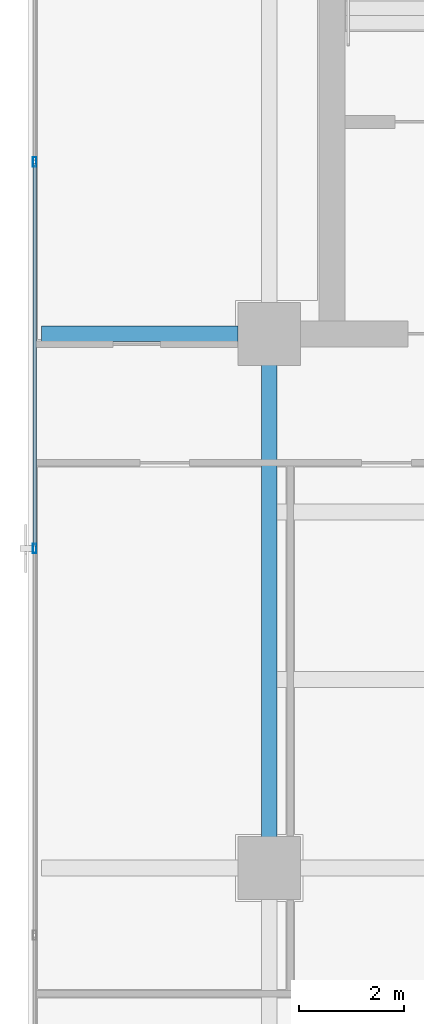
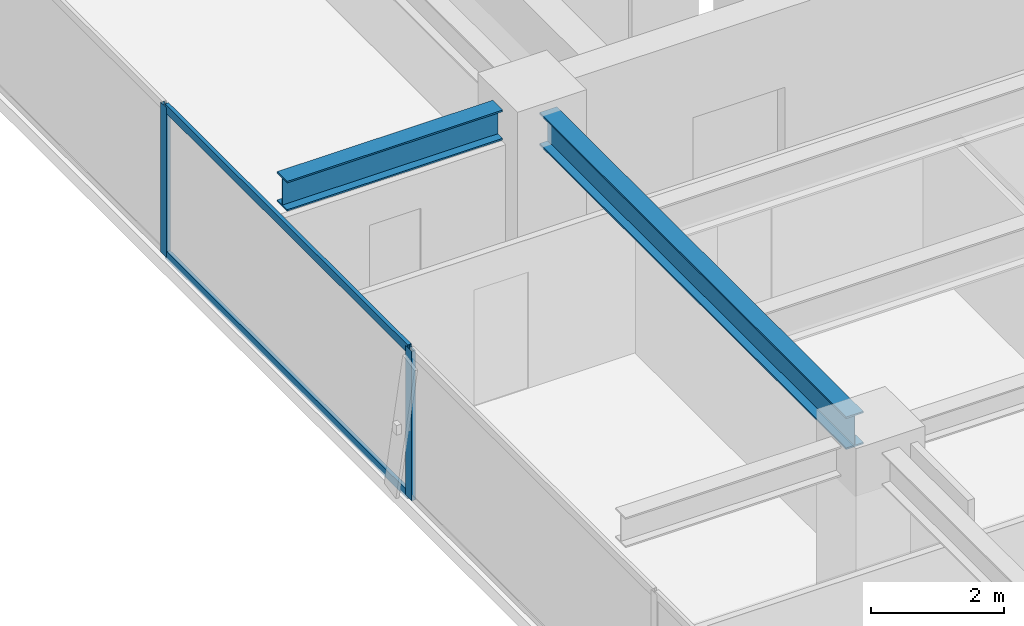
# One storey, part 7 of 23: 4 members, 2 beams, 1 element without a shape of its own.
"""IFC4 building model written with IfcOpenShell, lengths in metres."""

from ifc_helpers import new_model, si_unit, direction, frame, origin, origin_2d, place, context, subcontext, project, spatial, hollow_rectangle, i_section, extrude, source, transform, mapped, material, layer, layer_set, material_profile, profile_set, type_object, element, aggregate, save


model = new_model("IFC4")

# Units and contexts
model_context = context("Model", 3, precision=1e-05, world=origin(), true_north=direction((0.0, 1.0)))
body_context = subcontext(model_context, "Body", "Model", "MODEL_VIEW")
ifc_project = project(units=[si_unit("LENGTHUNIT", "METRE"), si_unit("AREAUNIT", "SQUARE_METRE"), si_unit("VOLUMEUNIT", "CUBIC_METRE"), si_unit("PLANEANGLEUNIT", "RADIAN"), si_unit("MASSUNIT", "GRAM", prefix="KILO")], contexts=[model_context])

# Site, building, storey
site_placement = place(None, origin())
site = spatial("IfcSite", under=ifc_project, at=site_placement, CompositionType="ELEMENT")
building_placement = place(site_placement, origin())
building = spatial("IfcBuilding", under=site, at=building_placement, Name="Sumidabori Civic Tower", CompositionType="ELEMENT")
storey_placement = place(building_placement, frame((0.0, 0.0, 275.60009765625)))
storey = spatial("IfcBuildingStorey", under=building, at=storey_placement, Name="L72", CompositionType="ELEMENT", Elevation=275.60009765625)

# Beams
ifc_material_1 = material(Name="Steel SN490", Category="steel")
ifc_material_profile_1 = material_profile(ifc_material_1, i_section(OverallWidth=0.300048828125, OverallDepth=0.60009765625, WebThickness=0.015380859375, FlangeThickness=0.030029296875, at=origin_2d()), Name="HE 600 B")
ifc_profile_set_1 = profile_set([ifc_material_profile_1], Name="Steel SN490")
beam_type_1 = type_object("IfcBeamType", Name="BM-GIRD-600", PredefinedType="BEAM", material=ifc_profile_set_1)
shared_shape_1 = source(origin(), body_context, "Body", "SweptSolid", [
    extrude(i_section(OverallWidth=0.300048828125, OverallDepth=0.60009765625, WebThickness=0.015380859375, FlangeThickness=0.030029296875, at=origin_2d()), origin(), (0.0, 0.0, 1.0), 9.239990234375),
])
beam_1_placement = place(storey_placement, frame((-16.800048828125, 0.47998046875, 3.06982421875), z_axis=(0.0, 1.0, 0.0), x_axis=(-1.0, 0.0, 0.0)))
element("IfcBeam", 1, at=beam_1_placement, inside=storey, type_object=beam_type_1, Name="Primary Girder L72 GY-10", PredefinedType="BEAM", context=body_context, shape_type="MappedRepresentation", body=[
    mapped(shared_shape_1, transform((0.0, 0.0, 0.0), x_axis=(1.0, 0.0, 0.0), y_axis=(0.0, 1.0, 0.0), z_axis=(0.0, 0.0, 1.0), scale=1.0)),
])
ifc_material_profile_2 = material_profile(ifc_material_1, i_section(OverallWidth=0.300048828125, OverallDepth=0.550048828125, WebThickness=0.014892578125, FlangeThickness=0.029052734375, at=origin_2d()), Name="HE 550 B")
ifc_profile_set_2 = profile_set([ifc_material_profile_2], Name="Steel SN490")
beam_type_2 = type_object("IfcBeamType", Name="BM-Z4-EDGE", PredefinedType="SPANDREL", material=ifc_profile_set_2)
shared_shape_2 = source(origin(), body_context, "Body", "SweptSolid", [
    extrude(i_section(OverallWidth=0.300048828125, OverallDepth=0.550048828125, WebThickness=0.014892578125, FlangeThickness=0.029052734375, at=origin_2d()), origin(), (0.0, 0.0, 1.0), 3.75),
])
beam_2_placement = place(storey_placement, frame((-21.14990234375, 10.199951171875, 3.094970703125), z_axis=(1.0, 0.0, 0.0), x_axis=(0.0, 1.0, 0.0)))
element("IfcBeam", 2, at=beam_2_placement, inside=storey, type_object=beam_type_2, Name="Perimeter Overhang Beam L72 W-21", PredefinedType="SPANDREL", context=body_context, shape_type="MappedRepresentation", body=[
    mapped(shared_shape_2, transform((0.0, 0.0, 0.0), x_axis=(1.0, 0.0, 0.0), y_axis=(0.0, 1.0, 0.0), z_axis=(0.0, 0.0, 1.0), scale=1.0)),
])

# Curtain wall, members
ifc_material_2 = material(Name="Anodised Bronze Aluminium AW-6063-T6", Category="aluminium")
ifc_layer = layer(ifc_material_2, 0.179931640625, Name="Anodised Bronze Aluminium AW-6063-T6")
ifc_layer_set = layer_set([ifc_layer], Name="Anodised Bronze Aluminium AW-6063-T6")
curtain_wall_type = type_object("IfcCurtainWallType", Name="CW-SYS-6", PredefinedType="NOTDEFINED", material=ifc_layer_set)
curtain_wall_placement = place(storey_placement, origin())
curtain_wall = element("IfcCurtainWall", 3, at=curtain_wall_placement, inside=storey, type_object=curtain_wall_type, Name="Curtain Wall CW:L72:R10", PredefinedType="NOTDEFINED")
ifc_material_profile_3 = material_profile(ifc_material_2, hollow_rectangle(XDim=0.070068359375, YDim=0.179931640625, WallThickness=0.006103515625, at=origin_2d()), Name="ALU MULLION 180x70")
ifc_profile_set_3 = profile_set([ifc_material_profile_3], Name="Anodised Bronze Aluminium AW-6063-T6")
member_type_1 = type_object("IfcMemberType", Name="CW-MUL-180", PredefinedType="MULLION", material=ifc_profile_set_3)
shared_shape_3 = source(origin(), body_context, "Body", "SweptSolid", [
    extrude(hollow_rectangle(XDim=0.070068359375, YDim=0.179931640625, WallThickness=0.006103515625, at=origin_2d()), origin(), (0.0, 0.0, 1.0), 2.75),
])
member_1_placement = place(storey_placement, frame((-21.280029296875, 13.485107421875, 0.0), z_axis=(0.0, 0.0, 1.0), x_axis=(1.0, 0.0, 0.0)))
member_1 = element("IfcMember", 4, at=member_1_placement, type_object=member_type_1, Name="CW-6 mullion 2", PredefinedType="MULLION", context=body_context, shape_type="MappedRepresentation", body=[
    mapped(shared_shape_3, transform((0.0, 0.0, 0.0), x_axis=(1.0, 0.0, 0.0), y_axis=(0.0, 1.0, 0.0), z_axis=(0.0, 0.0, 1.0), scale=1.0)),
])
member_2_placement = place(storey_placement, frame((-21.280029296875, 6.10009765625, 0.0), z_axis=(0.0, 0.0, 1.0), x_axis=(1.0, 0.0, 0.0)))
member_2 = element("IfcMember", 5, at=member_2_placement, type_object=member_type_1, Name="CW-6 mullion 3", PredefinedType="MULLION", context=body_context, shape_type="MappedRepresentation", body=[
    mapped(shared_shape_3, transform((0.0, 0.0, 0.0), x_axis=(1.0, 0.0, 0.0), y_axis=(0.0, 1.0, 0.0), z_axis=(0.0, 0.0, 1.0), scale=1.0)),
])
ifc_material_profile_4 = material_profile(ifc_material_2, hollow_rectangle(XDim=0.06494140625, YDim=0.14990234375, WallThickness=0.0048828125, at=origin_2d()), Name="ALU TRANSOM 150x65")
ifc_profile_set_4 = profile_set([ifc_material_profile_4], Name="Anodised Bronze Aluminium AW-6063-T6")
member_type_2 = type_object("IfcMemberType", Name="CW-TRN-150", PredefinedType="USERDEFINED", material=ifc_profile_set_4)
shared_shape_4 = source(origin(), body_context, "Body", "SweptSolid", [
    extrude(hollow_rectangle(XDim=0.06494140625, YDim=0.14990234375, WallThickness=0.0048828125, at=origin_2d()), origin(), (0.0, 0.0, 1.0), 7.31494140625),
])
member_3_placement = place(storey_placement, frame((-21.280029296875, 13.449951171875, 0.032470703125), z_axis=(0.0, -1.0, 0.0), x_axis=(1.0, 0.0, 0.0)))
member_3 = element("IfcMember", 6, at=member_3_placement, type_object=member_type_2, Name="CW-6 transom 2.1", ObjectType="TRANSOM", PredefinedType="USERDEFINED", context=body_context, shape_type="MappedRepresentation", body=[
    mapped(shared_shape_4, transform((0.0, 0.0, 0.0), x_axis=(1.0, 0.0, 0.0), y_axis=(0.0, 1.0, 0.0), z_axis=(0.0, 0.0, 1.0), scale=1.0)),
])
member_4_placement = place(storey_placement, frame((-21.280029296875, 13.449951171875, 2.71728515625), z_axis=(0.0, -1.0, 0.0), x_axis=(1.0, 0.0, 0.0)))
member_4 = element("IfcMember", 7, at=member_4_placement, type_object=member_type_2, Name="CW-6 transom 2.2", ObjectType="TRANSOM", PredefinedType="USERDEFINED", context=body_context, shape_type="MappedRepresentation", body=[
    mapped(shared_shape_4, transform((0.0, 0.0, 0.0), x_axis=(1.0, 0.0, 0.0), y_axis=(0.0, 1.0, 0.0), z_axis=(0.0, 0.0, 1.0), scale=1.0)),
])
aggregate(curtain_wall, [member_1, member_2, member_3, member_4])

save(model, "model.ifc")
